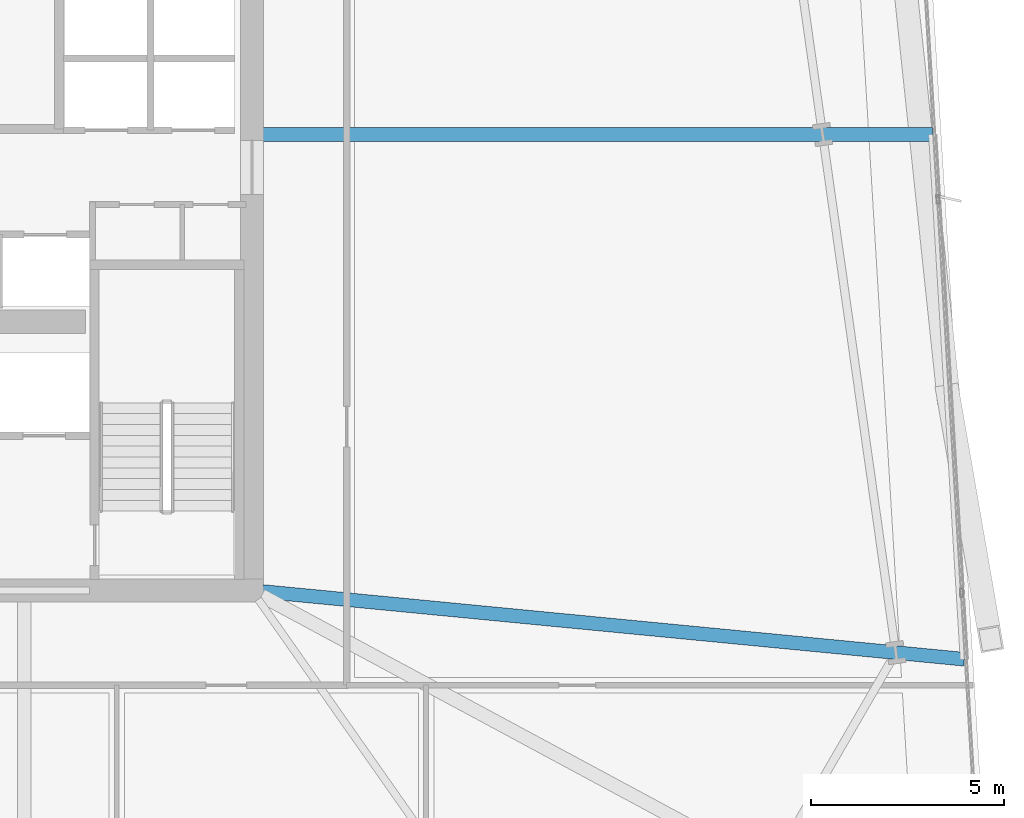
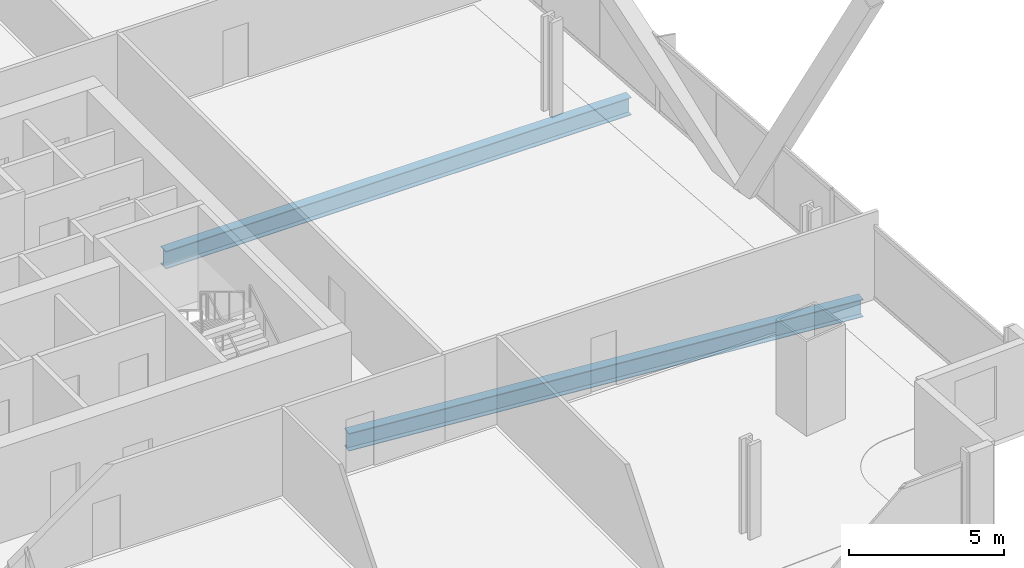
# One storey, part 12 of 34: 2 beams.
"""IFC4 building model written with IfcOpenShell, lengths in metres."""

from ifc_helpers import new_model, si_unit, direction, frame, origin, origin_2d, place, context, subcontext, project, spatial, i_section, extrude, material, material_profile, profile_set, type_object, element, save


model = new_model("IFC4")

# Units and contexts
model_context = context("Model", 3, precision=1e-05, world=origin(), true_north=direction((0.0, 1.0)))
body_context = subcontext(model_context, "Body", "Model", "MODEL_VIEW")
ifc_project = project(units=[si_unit("LENGTHUNIT", "METRE"), si_unit("AREAUNIT", "SQUARE_METRE"), si_unit("VOLUMEUNIT", "CUBIC_METRE"), si_unit("PLANEANGLEUNIT", "RADIAN"), si_unit("MASSUNIT", "GRAM", prefix="KILO")], contexts=[model_context])

# Site, building, storey
site_placement = place(None, origin())
site = spatial("IfcSite", under=ifc_project, at=site_placement, CompositionType="ELEMENT")
building_placement = place(site_placement, origin())
building = spatial("IfcBuilding", under=site, at=building_placement, Name="Haldenkirk Collegiate Tower", CompositionType="ELEMENT")
storey_placement = place(building_placement, frame((0.0, 0.0, 40.199951171875)))
storey = spatial("IfcBuildingStorey", under=building, at=storey_placement, Name="L08", CompositionType="ELEMENT", Elevation=40.199951171875)

# Beams
ifc_material = material(Name="Steel ASTM A992 Grade 50", Category="steel")
ifc_material_profile = material_profile(ifc_material, i_section(OverallWidth=0.35498046875, OverallDepth=0.696044921875, WebThickness=0.015380859375, FlangeThickness=0.02490234375, at=origin_2d()), Name="W27X146")
ifc_profile_set = profile_set([ifc_material_profile], Name="Steel ASTM A992 Grade 50")
beam_type = type_object("IfcBeamType", Name="BM-GIRDER-W27X146", PredefinedType="BEAM", material=ifc_profile_set)
beam_1_placement = place(storey_placement, frame((63.418212890625, 16.22216796875, -0.657958984375), z_axis=(-0.995373394139, 0.096082288897, 0.0), x_axis=(-0.096082288897, -0.995373394139, 0.0)))
element("IfcBeam", 1, at=beam_1_placement, inside=storey, type_object=beam_type, Name="L08 primary floor girder 08", PredefinedType="BEAM", context=body_context, shape_type="SweptSolid", body=[
    extrude(i_section(OverallWidth=0.35498046875, OverallDepth=0.696044921875, WebThickness=0.015380859375, FlangeThickness=0.02490234375, at=origin_2d()), origin(), (0.0, 0.0, 1.0), 18.2236328125),
])
beam_2_placement = place(storey_placement, frame((62.60009765625, 29.788818359375, -0.657958984375), z_axis=(-1.0, 0.0, 0.0), x_axis=(0.0, -1.0, 0.0)))
element("IfcBeam", 2, at=beam_2_placement, inside=storey, type_object=beam_type, Name="L08 primary floor girder 09", PredefinedType="BEAM", context=body_context, shape_type="SweptSolid", body=[
    extrude(i_section(OverallWidth=0.35498046875, OverallDepth=0.696044921875, WebThickness=0.015380859375, FlangeThickness=0.02490234375, at=origin_2d()), origin(), (0.0, 0.0, 1.0), 17.320068359375),
])

save(model, "model.ifc")
